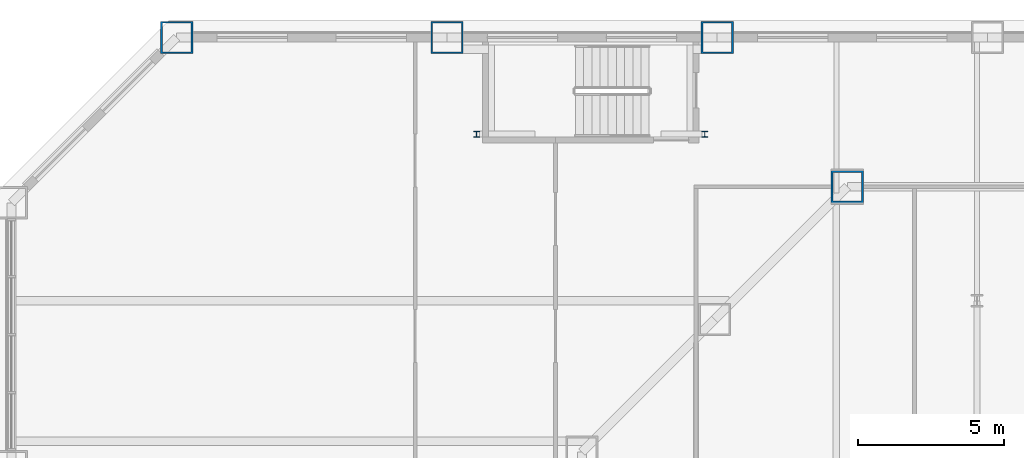
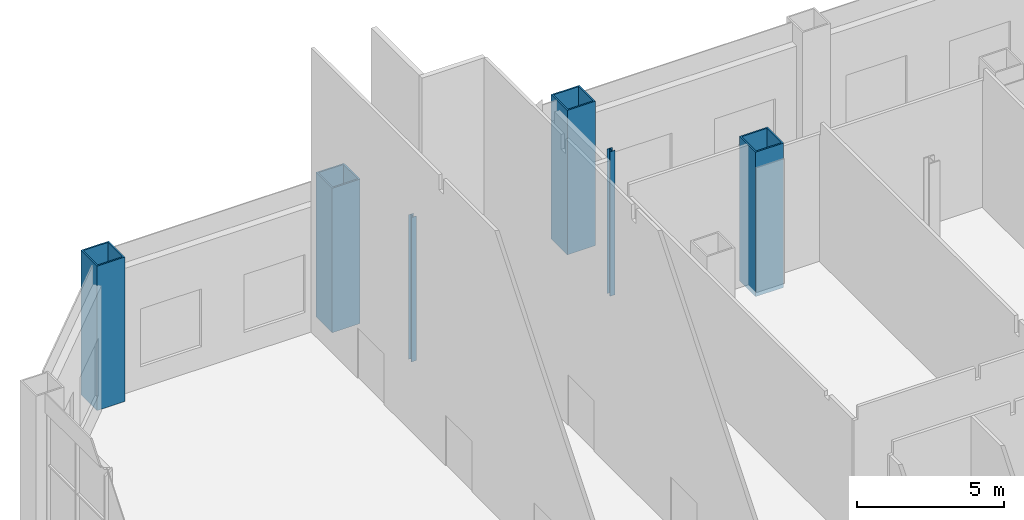
# One storey, part 3 of 31: 6 columns.
"""IFC4 building model written with IfcOpenShell, lengths in metres."""

from ifc_helpers import new_model, si_unit, direction, frame, origin, origin_2d, place, context, subcontext, project, spatial, hollow_rectangle, i_section, extrude, material, material_profile, profile_set, type_object, element, save


model = new_model("IFC4")

# Units and contexts
model_context = context("Model", 3, precision=1e-05, world=origin(), true_north=direction((0.0, 1.0)))
body_context = subcontext(model_context, "Body", "Model", "MODEL_VIEW")
ifc_project = project(units=[si_unit("LENGTHUNIT", "METRE"), si_unit("AREAUNIT", "SQUARE_METRE"), si_unit("VOLUMEUNIT", "CUBIC_METRE"), si_unit("PLANEANGLEUNIT", "RADIAN"), si_unit("MASSUNIT", "GRAM", prefix="KILO")], contexts=[model_context])

# Site, building, storey
site_placement = place(None, origin())
site = spatial("IfcSite", under=ifc_project, at=site_placement, CompositionType="ELEMENT")
building_placement = place(site_placement, origin())
building = spatial("IfcBuilding", under=site, at=building_placement, Name="Cairn Pilgrim Tower", CompositionType="ELEMENT")
storey_placement = place(building_placement, frame((0.0, 0.0, 9.0)))
storey = spatial("IfcBuildingStorey", under=building, at=storey_placement, Name="L01", CompositionType="ELEMENT", Elevation=9.0)

# Columns
ifc_material_1 = material(Name="Structural steel S460M", Category="steel")
ifc_material_profile_1 = material_profile(ifc_material_1, hollow_rectangle(XDim=1.10009765625, YDim=1.10009765625, WallThickness=0.06005859375, at=origin_2d()), Name="BOX 1100x1100x60")
ifc_profile_set_1 = profile_set([ifc_material_profile_1], Name="Structural steel S460M")
column_type_1 = type_object("IfcColumnType", Name="BOX 1100x1100x60", PredefinedType="COLUMN", material=ifc_profile_set_1)
column_placement = place(storey_placement, frame((-18.8271484375, 23.10009765625, -0.199951171875), z_axis=(0.0, 0.0, 1.0), x_axis=(1.0, 0.0, 0.0)))
element("IfcColumn", 1, at=column_placement, inside=storey, type_object=column_type_1, Name="PC1-NW1", PredefinedType="COLUMN", context=body_context, shape_type="SweptSolid", body=[
    extrude(hollow_rectangle(XDim=1.10009765625, YDim=1.10009765625, WallThickness=0.06005859375, at=origin_2d()), origin(), (0.0, 0.0, 1.0), 6.0),
])
ifc_material_profile_2 = material_profile(ifc_material_1, hollow_rectangle(XDim=1.10009765625, YDim=1.10009765625, WallThickness=0.06005859375, at=origin_2d()), Name="BOX 1100x1100x60")
ifc_profile_set_2 = profile_set([ifc_material_profile_2], Name="Structural steel S460M")
column_type_2 = type_object("IfcColumnType", Name="PILOTIS CFT 1100", PredefinedType="COLUMN", material=ifc_profile_set_2)
for number, where, z_axis, x_axis, name in (
    (2, (-23.275634765625, 28.199951171875, 0.0), (0.0, 0.0, 1.0), (1.0, 0.0, 0.0), "PILOTIS PL-N7"),
    (3, (-32.513671875, 28.199951171875, 0.0), (0.0, 0.0, 1.0), (1.0, 0.0, 0.0), "PILOTIS PL-N8"),
    (4, (-41.75146484375, 28.199951171875, 0.0), (0.0, 0.0, 1.0), (1.0, 0.0, 0.0), "PILOTIS PL-NW1"),
):
    element("IfcColumn", number, at=place(storey_placement, frame(where, z_axis=z_axis, x_axis=x_axis)), inside=storey, type_object=column_type_2, Name=name, PredefinedType="COLUMN", context=body_context, shape_type="SweptSolid", body=[
        extrude(hollow_rectangle(XDim=1.10009765625, YDim=1.10009765625, WallThickness=0.06005859375, at=origin_2d()), origin(), (0.0, 0.0, 1.0), 6.0),
    ])
ifc_material_2 = material(Name="Structural steel S355J2", Category="steel")
ifc_material_profile_3 = material_profile(ifc_material_2, i_section(OverallWidth=0.199951171875, OverallDepth=0.199951171875, WebThickness=0.009033203125, FlangeThickness=0.014892578125, FilletRadius=0.01806640625, at=origin_2d()), Name="HE 200 B")
ifc_profile_set_3 = profile_set([ifc_material_profile_3], Name="Structural steel S355J2")
column_type_3 = type_object("IfcColumnType", Name="STAIR POST HE 200 B", PredefinedType="COLUMN", material=ifc_profile_set_3)
for number, where, z_axis, x_axis, name in (
    (5, (-31.5, 24.89990234375, 0.0), (0.0, 0.0, 1.0), (1.0, 0.0, 0.0), "STAIR POST LP-HN-W"),
    (6, (-23.699951171875, 24.89990234375, 0.0), (0.0, 0.0, 1.0), (1.0, 0.0, 0.0), "STAIR POST LP-HN-E"),
):
    element("IfcColumn", number, at=place(storey_placement, frame(where, z_axis=z_axis, x_axis=x_axis)), inside=storey, type_object=column_type_3, Name=name, PredefinedType="COLUMN", context=body_context, shape_type="SweptSolid", body=[
        extrude(i_section(OverallWidth=0.199951171875, OverallDepth=0.199951171875, WebThickness=0.009033203125, FlangeThickness=0.014892578125, FilletRadius=0.01806640625, at=origin_2d()), origin(), (0.0, 0.0, 1.0), 6.0),
    ])

save(model, "model.ifc")
